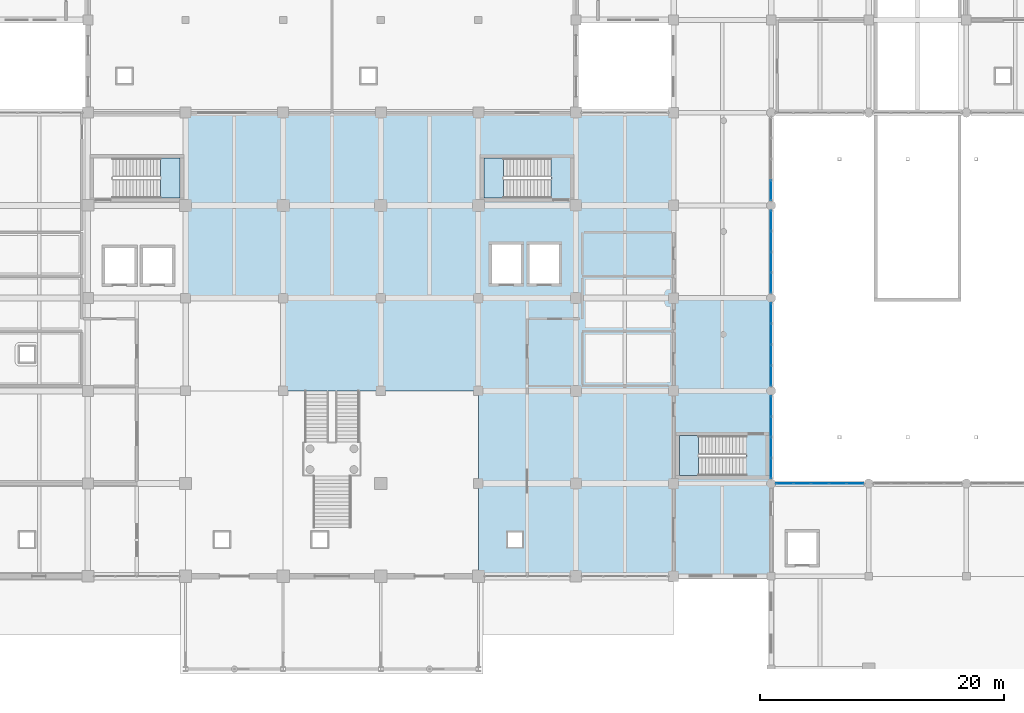
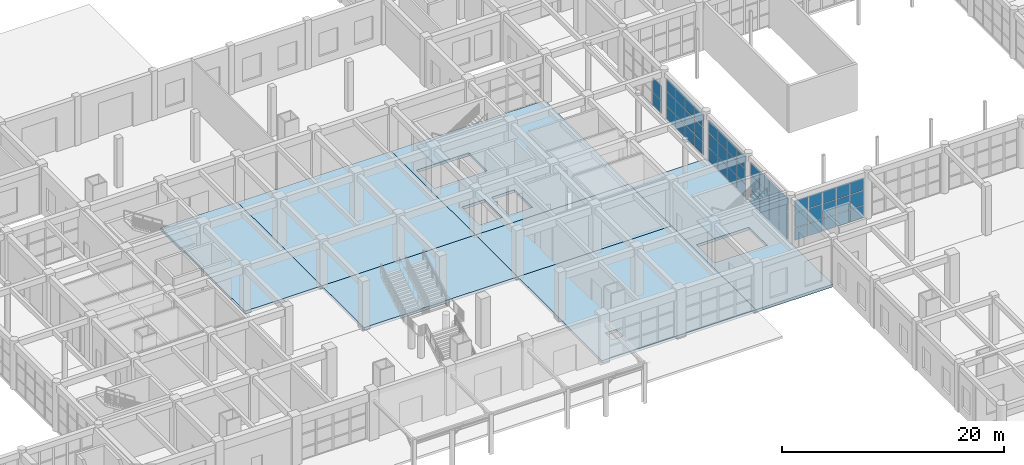
# One storey, part 61 of 95: 53 plates, 10 slabs, 8 elements without a shape of their own.
"""IFC4 building model written with IfcOpenShell, lengths in metres."""

from ifc_helpers import new_model, si_unit, direction, frame, origin, origin_2d, place, context, subcontext, project, spatial, polyline, rectangle, outline, extrude, material, layer, layer_set, type_object, element, aggregate, save


model = new_model("IFC4")

# Units and contexts
model_context = context("Model", 3, precision=1e-05, world=origin(), true_north=direction((0.0, 1.0)))
body_context = subcontext(model_context, "Body", "Model", "MODEL_VIEW")
ifc_project = project(units=[si_unit("LENGTHUNIT", "METRE"), si_unit("AREAUNIT", "SQUARE_METRE"), si_unit("VOLUMEUNIT", "CUBIC_METRE"), si_unit("PLANEANGLEUNIT", "RADIAN"), si_unit("MASSUNIT", "GRAM", prefix="KILO")], contexts=[model_context])

# Site, building, storey
site_placement = place(None, origin())
site = spatial("IfcSite", under=ifc_project, at=site_placement, CompositionType="ELEMENT")
building_placement = place(site_placement, origin())
building = spatial("IfcBuilding", under=site, at=building_placement, Name="Zantavel Square City Hall", CompositionType="ELEMENT")
storey_placement = place(building_placement, origin())
storey = spatial("IfcBuildingStorey", under=building, at=storey_placement, Name="L01", CompositionType="ELEMENT", Elevation=0.0)

# Stair, slab
ifc_material_1 = material(Name="Concrete C35/45", Category="concrete")
stair_type = type_object("IfcStairType", Name="Enclosed Core Dogleg Stair L01 H5400", PredefinedType="HALF_TURN_STAIR", material=ifc_material_1)
stair_1_placement = place(storey_placement, origin())
stair_1 = element("IfcStair", 1, at=stair_1_placement, inside=storey, type_object=stair_type, Name="L01 Exit Stair 4 East Annex Core", PredefinedType="HALF_TURN_STAIR")
ifc_layer_1 = layer(ifc_material_1, 0.2099609375, Name="Concrete C35/45")
ifc_layer_set_1 = layer_set([ifc_layer_1], Name="Concrete C35/45")
slab_type_1 = type_object("IfcSlabType", Name="Core Stair Half-Landing Slab C35/45", PredefinedType="LANDING", material=ifc_layer_set_1)
slab_1_placement = place(storey_placement, frame((0.0, 0.0, 2.5)))
slab_1 = element("IfcSlab", 2, at=slab_1_placement, type_object=slab_type_1, Name="ST4 landing 1", PredefinedType="LANDING", context=body_context, shape_type="SweptSolid", body=[
    extrude(outline(polyline([(114.050048828125, 41.919921875), (112.469970703125, 41.919921875), (112.469970703125, 38.64990234375), (114.050048828125, 38.64990234375), (114.050048828125, 41.919921875)])), origin(), (0.0, 0.0, 1.0), 0.199951171875),
])
aggregate(stair_1, [slab_1])

stair_2_placement = place(storey_placement, origin())
stair_2 = element("IfcStair", 3, at=stair_2_placement, inside=storey, type_object=stair_type, Name="L01 Exit Stair 5 Central West Core", PredefinedType="HALF_TURN_STAIR")
slab_2_placement = place(storey_placement, frame((0.0, 0.0, 2.5)))
slab_2 = element("IfcSlab", 4, at=slab_2_placement, type_object=slab_type_1, Name="ST5 landing 1", PredefinedType="LANDING", context=body_context, shape_type="SweptSolid", body=[
    extrude(outline(polyline([(69.949951171875, 61.39990234375), (71.530029296875, 61.39990234375), (71.530029296875, 64.669921875), (69.949951171875, 64.669921875), (69.949951171875, 61.39990234375)])), origin(), (0.0, 0.0, 1.0), 0.199951171875),
])
aggregate(stair_2, [slab_2])

stair_3_placement = place(storey_placement, origin())
stair_3 = element("IfcStair", 5, at=stair_3_placement, inside=storey, type_object=stair_type, Name="L01 Exit Stair 6 Central East Core", PredefinedType="HALF_TURN_STAIR")
slab_3_placement = place(storey_placement, frame((0.0, 0.0, 2.5)))
slab_3 = element("IfcSlab", 6, at=slab_3_placement, type_object=slab_type_1, Name="ST6 landing 1", PredefinedType="LANDING", context=body_context, shape_type="SweptSolid", body=[
    extrude(outline(polyline([(98.050048828125, 64.669921875), (96.469970703125, 64.669921875), (96.469970703125, 61.39990234375), (98.050048828125, 61.39990234375), (98.050048828125, 64.669921875)])), origin(), (0.0, 0.0, 1.0), 0.199951171875),
])
aggregate(stair_3, [slab_3])

# Slabs
ifc_layer_2 = layer(ifc_material_1, 0.300048828125, Name="Concrete C35/45")
ifc_layer_set_2 = layer_set([ifc_layer_2], Name="Concrete C35/45")
slab_type_2 = type_object("IfcSlabType", Name="Ground Civic Floor Slab 300mm C35/45", PredefinedType="FLOOR", material=ifc_layer_set_2)
slab_4_placement = place(storey_placement, frame((0.0, 0.0, -0.300048828125)))
element("IfcSlab", 7, at=slab_4_placement, inside=storey, type_object=slab_type_2, Name="L01 Floor Slab SLB-L01-V1-04", PredefinedType="FLOOR", context=body_context, shape_type="SweptSolid", body=[
    extrude(outline(polyline([(112.0, 30.39990234375), (96.0, 30.39990234375), (96.0, 45.60009765625), (112.0, 45.60009765625), (112.0, 30.39990234375)]), holes=[polyline([(99.60009765625, 34.0), (98.39990234375, 34.0), (98.39990234375, 32.800048828125), (99.60009765625, 32.800048828125), (99.60009765625, 34.0)])]), origin(), (0.0, 0.0, 1.0), 0.300048828125),
])
slab_5_placement = place(storey_placement, frame((0.0, 0.0, -0.300048828125)))
element("IfcSlab", 8, at=slab_5_placement, inside=storey, type_object=slab_type_2, Name="L01 Floor Slab SLB-L01-V1-07", PredefinedType="FLOOR", context=body_context, shape_type="SweptSolid", body=[
    extrude(outline(polyline([(96.0, 53.199951171875), (96.0, 45.60009765625), (80.0, 45.60009765625), (80.0, 53.199951171875), (96.0, 53.199951171875)])), origin(), (0.0, 0.0, 1.0), 0.300048828125),
])
slab_6_placement = place(storey_placement, frame((0.0, 0.0, -0.300048828125)))
element("IfcSlab", 9, at=slab_6_placement, inside=storey, type_object=slab_type_2, Name="L01 Floor Slab SLB-L01-V1-08", PredefinedType="FLOOR", context=body_context, shape_type="SweptSolid", body=[
    extrude(outline(polyline([(112.0, 53.199951171875), (112.0, 45.60009765625), (96.0, 45.60009765625), (96.0, 53.199951171875), (112.0, 53.199951171875)])), origin(), (0.0, 0.0, 1.0), 0.300048828125),
])
slab_7_placement = place(storey_placement, frame((0.0, 0.0, -0.300048828125)))
element("IfcSlab", 10, at=slab_7_placement, inside=storey, type_object=slab_type_2, Name="L01 Floor Slab SLB-L01-V1-10", PredefinedType="FLOOR", context=body_context, shape_type="SweptSolid", body=[
    extrude(outline(polyline([(80.0, 68.39990234375), (80.0, 53.199951171875), (72.0, 53.199951171875), (72.0, 68.39990234375), (80.0, 68.39990234375)])), origin(), (0.0, 0.0, 1.0), 0.300048828125),
])
slab_8_placement = place(storey_placement, frame((0.0, 0.0, -0.300048828125)))
element("IfcSlab", 11, at=slab_8_placement, inside=storey, type_object=slab_type_2, Name="L01 Floor Slab SLB-L01-V1-11", PredefinedType="FLOOR", context=body_context, shape_type="SweptSolid", body=[
    extrude(outline(polyline([(96.0, 68.39990234375), (96.0, 53.199951171875), (80.0, 53.199951171875), (80.0, 68.39990234375), (96.0, 68.39990234375)])), origin(), (0.0, 0.0, 1.0), 0.300048828125),
])
slab_9_placement = place(storey_placement, frame((0.0, 0.0, -0.300048828125)))
element("IfcSlab", 12, at=slab_9_placement, inside=storey, type_object=slab_type_2, Name="L01 Floor Slab SLB-L01-V1-12", PredefinedType="FLOOR", context=body_context, shape_type="SweptSolid", body=[
    extrude(outline(polyline([(96.0, 68.39990234375), (112.0, 68.39990234375), (112.0, 53.199951171875), (96.0, 53.199951171875), (96.0, 68.39990234375)]), holes=[polyline([(96.469970703125, 61.39990234375), (101.949951171875, 61.39990234375), (101.949951171875, 64.669921875), (96.469970703125, 64.669921875), (96.469970703125, 61.39990234375)]), polyline([(97.10009765625, 57.60009765625), (97.10009765625, 54.39990234375), (99.5, 54.39990234375), (99.5, 57.60009765625), (97.10009765625, 57.60009765625)]), polyline([(102.60009765625, 57.60009765625), (100.199951171875, 57.60009765625), (100.199951171875, 54.39990234375), (102.60009765625, 54.39990234375), (102.60009765625, 57.60009765625)])]), origin(), (0.0, 0.0, 1.0), 0.300048828125),
])
slab_10_placement = place(storey_placement, frame((0.0, 0.0, -0.300048828125)))
element("IfcSlab", 13, at=slab_10_placement, inside=storey, type_object=slab_type_2, Name="L01 Floor Slab SLB-L01-V2W-01", PredefinedType="FLOOR", context=body_context, shape_type="SweptSolid", body=[
    extrude(outline(polyline([(112.0, 30.39990234375), (112.0, 45.60009765625), (112.0, 53.199951171875), (120.0, 53.199951171875), (120.0, 38.0), (120.0, 30.39990234375), (112.0, 30.39990234375)]), holes=[polyline([(117.949951171875, 41.919921875), (112.469970703125, 41.919921875), (112.469970703125, 38.64990234375), (117.949951171875, 38.64990234375), (117.949951171875, 41.919921875)])]), origin(), (0.0, 0.0, 1.0), 0.300048828125),
])

# Curtain wall, plates
ifc_material_2 = material(Name="Anodised aluminium 6063-T6", Category="aluminium")
curtain_wall_type_1 = type_object("IfcCurtainWallType", Name="Curtain Wall CRT 7250x4510", PredefinedType="USERDEFINED", material=ifc_material_2)
curtain_wall_1_placement = place(storey_placement, origin())
curtain_wall_1 = element("IfcCurtainWall", 14, at=curtain_wall_1_placement, inside=storey, type_object=curtain_wall_type_1, Name="L01 Glazed Curtain Wall CW-L01-027", ObjectType="GLAZED CURTAIN WALL", PredefinedType="USERDEFINED")
ifc_material_3 = material(Name="Tempered safety glass low-E double glazing", Category="glass")
ifc_layer_3 = layer(ifc_material_3, 0.028076171875, Name="Tempered safety glass low-E double glazing")
ifc_layer_set_3 = layer_set([ifc_layer_3], Name="Tempered safety glass low-E double glazing")
plate_type_1 = type_object("IfcPlateType", Name="Low-E Curtain Glazing Panel 1450x1503x28", PredefinedType="CURTAIN_PANEL", material=ifc_layer_set_3)
plate_1_placement = place(storey_placement, frame((121.114990234375, 38.0, 0.06005859375), z_axis=(0.0, 0.0, 1.0), x_axis=(1.0, 0.0, 0.0)))
plate_1 = element("IfcPlate", 15, at=plate_1_placement, type_object=plate_type_1, Name="CW-027 panel 1.1", PredefinedType="CURTAIN_PANEL", context=body_context, shape_type="SweptSolid", body=[
    extrude(rectangle(XDim=1.360107421875, YDim=0.028076171875, at=origin_2d()), origin(), (0.0, 0.0, 1.0), 1.35302734375),
])
plate_2_placement = place(storey_placement, frame((121.114990234375, 38.0, 1.472900390625), z_axis=(0.0, 0.0, 1.0), x_axis=(1.0, 0.0, 0.0)))
plate_2 = element("IfcPlate", 16, at=plate_2_placement, type_object=plate_type_1, Name="CW-027 panel 1.2", PredefinedType="CURTAIN_PANEL", context=body_context, shape_type="SweptSolid", body=[
    extrude(rectangle(XDim=1.360107421875, YDim=0.028076171875, at=origin_2d()), origin(), (0.0, 0.0, 1.0), 1.56396484375),
])
plate_3_placement = place(storey_placement, frame((121.114990234375, 38.0, 3.096923828125), z_axis=(0.0, 0.0, 1.0), x_axis=(1.0, 0.0, 0.0)))
plate_3 = element("IfcPlate", 17, at=plate_3_placement, type_object=plate_type_1, Name="CW-027 panel 1.3", PredefinedType="CURTAIN_PANEL", context=body_context, shape_type="SweptSolid", body=[
    extrude(rectangle(XDim=1.360107421875, YDim=0.028076171875, at=origin_2d()), origin(), (0.0, 0.0, 1.0), 1.35302734375),
])
plate_4_placement = place(storey_placement, frame((122.550048828125, 38.0, 0.06005859375), z_axis=(0.0, 0.0, 1.0), x_axis=(1.0, 0.0, 0.0)))
plate_4 = element("IfcPlate", 18, at=plate_4_placement, type_object=plate_type_1, Name="CW-027 panel 2.1", PredefinedType="CURTAIN_PANEL", context=body_context, shape_type="SweptSolid", body=[
    extrude(rectangle(XDim=1.389892578125, YDim=0.028076171875, at=origin_2d()), origin(), (0.0, 0.0, 1.0), 1.35302734375),
])
plate_5_placement = place(storey_placement, frame((122.550048828125, 38.0, 1.472900390625), z_axis=(0.0, 0.0, 1.0), x_axis=(1.0, 0.0, 0.0)))
plate_5 = element("IfcPlate", 19, at=plate_5_placement, type_object=plate_type_1, Name="CW-027 panel 2.2", PredefinedType="CURTAIN_PANEL", context=body_context, shape_type="SweptSolid", body=[
    extrude(rectangle(XDim=1.389892578125, YDim=0.028076171875, at=origin_2d()), origin(), (0.0, 0.0, 1.0), 1.56396484375),
])
plate_6_placement = place(storey_placement, frame((122.550048828125, 38.0, 3.096923828125), z_axis=(0.0, 0.0, 1.0), x_axis=(1.0, 0.0, 0.0)))
plate_6 = element("IfcPlate", 20, at=plate_6_placement, type_object=plate_type_1, Name="CW-027 panel 2.3", PredefinedType="CURTAIN_PANEL", context=body_context, shape_type="SweptSolid", body=[
    extrude(rectangle(XDim=1.389892578125, YDim=0.028076171875, at=origin_2d()), origin(), (0.0, 0.0, 1.0), 1.35302734375),
])
plate_7_placement = place(storey_placement, frame((124.0, 38.0, 0.06005859375), z_axis=(0.0, 0.0, 1.0), x_axis=(1.0, 0.0, 0.0)))
plate_7 = element("IfcPlate", 21, at=plate_7_placement, type_object=plate_type_1, Name="CW-027 panel 3.1", PredefinedType="CURTAIN_PANEL", context=body_context, shape_type="SweptSolid", body=[
    extrude(rectangle(XDim=1.389892578125, YDim=0.028076171875, at=origin_2d()), origin(), (0.0, 0.0, 1.0), 1.35302734375),
])
plate_8_placement = place(storey_placement, frame((124.0, 38.0, 1.472900390625), z_axis=(0.0, 0.0, 1.0), x_axis=(1.0, 0.0, 0.0)))
plate_8 = element("IfcPlate", 22, at=plate_8_placement, type_object=plate_type_1, Name="CW-027 panel 3.2", PredefinedType="CURTAIN_PANEL", context=body_context, shape_type="SweptSolid", body=[
    extrude(rectangle(XDim=1.389892578125, YDim=0.028076171875, at=origin_2d()), origin(), (0.0, 0.0, 1.0), 1.56396484375),
])
plate_9_placement = place(storey_placement, frame((124.0, 38.0, 3.096923828125), z_axis=(0.0, 0.0, 1.0), x_axis=(1.0, 0.0, 0.0)))
plate_9 = element("IfcPlate", 23, at=plate_9_placement, type_object=plate_type_1, Name="CW-027 panel 3.3", PredefinedType="CURTAIN_PANEL", context=body_context, shape_type="SweptSolid", body=[
    extrude(rectangle(XDim=1.389892578125, YDim=0.028076171875, at=origin_2d()), origin(), (0.0, 0.0, 1.0), 1.35302734375),
])
plate_10_placement = place(storey_placement, frame((125.449951171875, 38.0, 0.06005859375), z_axis=(0.0, 0.0, 1.0), x_axis=(1.0, 0.0, 0.0)))
plate_10 = element("IfcPlate", 24, at=plate_10_placement, type_object=plate_type_1, Name="CW-027 panel 4.1", PredefinedType="CURTAIN_PANEL", context=body_context, shape_type="SweptSolid", body=[
    extrude(rectangle(XDim=1.389892578125, YDim=0.028076171875, at=origin_2d()), origin(), (0.0, 0.0, 1.0), 1.35302734375),
])
plate_11_placement = place(storey_placement, frame((125.449951171875, 38.0, 1.472900390625), z_axis=(0.0, 0.0, 1.0), x_axis=(1.0, 0.0, 0.0)))
plate_11 = element("IfcPlate", 25, at=plate_11_placement, type_object=plate_type_1, Name="CW-027 panel 4.2", PredefinedType="CURTAIN_PANEL", context=body_context, shape_type="SweptSolid", body=[
    extrude(rectangle(XDim=1.389892578125, YDim=0.028076171875, at=origin_2d()), origin(), (0.0, 0.0, 1.0), 1.56396484375),
])
plate_12_placement = place(storey_placement, frame((125.449951171875, 38.0, 3.096923828125), z_axis=(0.0, 0.0, 1.0), x_axis=(1.0, 0.0, 0.0)))
plate_12 = element("IfcPlate", 26, at=plate_12_placement, type_object=plate_type_1, Name="CW-027 panel 4.3", PredefinedType="CURTAIN_PANEL", context=body_context, shape_type="SweptSolid", body=[
    extrude(rectangle(XDim=1.389892578125, YDim=0.028076171875, at=origin_2d()), origin(), (0.0, 0.0, 1.0), 1.35302734375),
])
plate_13_placement = place(storey_placement, frame((126.885009765625, 38.0, 0.06005859375), z_axis=(0.0, 0.0, 1.0), x_axis=(1.0, 0.0, 0.0)))
plate_13 = element("IfcPlate", 27, at=plate_13_placement, type_object=plate_type_1, Name="CW-027 panel 5.1", PredefinedType="CURTAIN_PANEL", context=body_context, shape_type="SweptSolid", body=[
    extrude(rectangle(XDim=1.360107421875, YDim=0.028076171875, at=origin_2d()), origin(), (0.0, 0.0, 1.0), 1.35302734375),
])
plate_14_placement = place(storey_placement, frame((126.885009765625, 38.0, 1.472900390625), z_axis=(0.0, 0.0, 1.0), x_axis=(1.0, 0.0, 0.0)))
plate_14 = element("IfcPlate", 28, at=plate_14_placement, type_object=plate_type_1, Name="CW-027 panel 5.2", PredefinedType="CURTAIN_PANEL", context=body_context, shape_type="SweptSolid", body=[
    extrude(rectangle(XDim=1.360107421875, YDim=0.028076171875, at=origin_2d()), origin(), (0.0, 0.0, 1.0), 1.56396484375),
])
plate_15_placement = place(storey_placement, frame((126.885009765625, 38.0, 3.096923828125), z_axis=(0.0, 0.0, 1.0), x_axis=(1.0, 0.0, 0.0)))
plate_15 = element("IfcPlate", 29, at=plate_15_placement, type_object=plate_type_1, Name="CW-027 panel 5.3", PredefinedType="CURTAIN_PANEL", context=body_context, shape_type="SweptSolid", body=[
    extrude(rectangle(XDim=1.360107421875, YDim=0.028076171875, at=origin_2d()), origin(), (0.0, 0.0, 1.0), 1.35302734375),
])
aggregate(curtain_wall_1, [plate_1, plate_2, plate_3, plate_4, plate_5, plate_6, plate_7, plate_8, plate_9, plate_10, plate_11, plate_12, plate_13, plate_14, plate_15])

curtain_wall_type_2 = type_object("IfcCurtainWallType", Name="Curtain Wall CRT 6850x4580", PredefinedType="USERDEFINED", material=ifc_material_2)
curtain_wall_2_placement = place(storey_placement, origin())
curtain_wall_2 = element("IfcCurtainWall", 30, at=curtain_wall_2_placement, inside=storey, type_object=curtain_wall_type_2, Name="L01 Glazed Curtain Wall CW-L01-024", ObjectType="GLAZED CURTAIN WALL", PredefinedType="USERDEFINED")
ifc_layer_4 = layer(ifc_material_3, 0.028076171875, Name="Tempered safety glass low-E double glazing")
ifc_layer_set_4 = layer_set([ifc_layer_4], Name="Tempered safety glass low-E double glazing")
plate_type_2 = type_object("IfcPlateType", Name="Low-E Curtain Glazing Panel 1712x1527x28", PredefinedType="CURTAIN_PANEL", material=ifc_layer_set_4)
plate_16_placement = place(storey_placement, frame((120.0, 59.5537109375, 0.06005859375), z_axis=(0.0, 0.0, 1.0), x_axis=(0.0, -1.0, 0.0)))
plate_16 = element("IfcPlate", 31, at=plate_16_placement, type_object=plate_type_2, Name="CW-024 panel 1.1", PredefinedType="CURTAIN_PANEL", context=body_context, shape_type="SweptSolid", body=[
    extrude(rectangle(XDim=1.62255859375, YDim=0.028076171875, at=origin_2d()), origin(), (0.0, 0.0, 1.0), 1.3759765625),
])
plate_17_placement = place(storey_placement, frame((120.0, 59.5537109375, 1.49609375), z_axis=(0.0, 0.0, 1.0), x_axis=(0.0, -1.0, 0.0)))
plate_17 = element("IfcPlate", 32, at=plate_17_placement, type_object=plate_type_2, Name="CW-024 panel 1.2", PredefinedType="CURTAIN_PANEL", context=body_context, shape_type="SweptSolid", body=[
    extrude(rectangle(XDim=1.62255859375, YDim=0.028076171875, at=origin_2d()), origin(), (0.0, 0.0, 1.0), 1.587890625),
])
plate_18_placement = place(storey_placement, frame((120.0, 59.5537109375, 3.14404296875), z_axis=(0.0, 0.0, 1.0), x_axis=(0.0, -1.0, 0.0)))
plate_18 = element("IfcPlate", 33, at=plate_18_placement, type_object=plate_type_2, Name="CW-024 panel 1.3", PredefinedType="CURTAIN_PANEL", context=body_context, shape_type="SweptSolid", body=[
    extrude(rectangle(XDim=1.62255859375, YDim=0.028076171875, at=origin_2d()), origin(), (0.0, 0.0, 1.0), 1.3759765625),
])
plate_19_placement = place(storey_placement, frame((120.0, 57.856201171875, 0.06005859375), z_axis=(0.0, 0.0, 1.0), x_axis=(0.0, -1.0, 0.0)))
plate_19 = element("IfcPlate", 34, at=plate_19_placement, type_object=plate_type_2, Name="CW-024 panel 2.1", PredefinedType="CURTAIN_PANEL", context=body_context, shape_type="SweptSolid", body=[
    extrude(rectangle(XDim=1.652587890625, YDim=0.028076171875, at=origin_2d()), origin(), (0.0, 0.0, 1.0), 1.3759765625),
])
plate_20_placement = place(storey_placement, frame((120.0, 57.856201171875, 1.49609375), z_axis=(0.0, 0.0, 1.0), x_axis=(0.0, -1.0, 0.0)))
plate_20 = element("IfcPlate", 35, at=plate_20_placement, type_object=plate_type_2, Name="CW-024 panel 2.2", PredefinedType="CURTAIN_PANEL", context=body_context, shape_type="SweptSolid", body=[
    extrude(rectangle(XDim=1.652587890625, YDim=0.028076171875, at=origin_2d()), origin(), (0.0, 0.0, 1.0), 1.587890625),
])
plate_21_placement = place(storey_placement, frame((120.0, 57.856201171875, 3.14404296875), z_axis=(0.0, 0.0, 1.0), x_axis=(0.0, -1.0, 0.0)))
plate_21 = element("IfcPlate", 36, at=plate_21_placement, type_object=plate_type_2, Name="CW-024 panel 2.3", PredefinedType="CURTAIN_PANEL", context=body_context, shape_type="SweptSolid", body=[
    extrude(rectangle(XDim=1.652587890625, YDim=0.028076171875, at=origin_2d()), origin(), (0.0, 0.0, 1.0), 1.3759765625),
])
plate_22_placement = place(storey_placement, frame((120.0, 56.143798828125, 0.06005859375), z_axis=(0.0, 0.0, 1.0), x_axis=(0.0, -1.0, 0.0)))
plate_22 = element("IfcPlate", 37, at=plate_22_placement, type_object=plate_type_2, Name="CW-024 panel 3.1", PredefinedType="CURTAIN_PANEL", context=body_context, shape_type="SweptSolid", body=[
    extrude(rectangle(XDim=1.652587890625, YDim=0.028076171875, at=origin_2d()), origin(), (0.0, 0.0, 1.0), 1.3759765625),
])
plate_23_placement = place(storey_placement, frame((120.0, 56.143798828125, 1.49609375), z_axis=(0.0, 0.0, 1.0), x_axis=(0.0, -1.0, 0.0)))
plate_23 = element("IfcPlate", 38, at=plate_23_placement, type_object=plate_type_2, Name="CW-024 panel 3.2", PredefinedType="CURTAIN_PANEL", context=body_context, shape_type="SweptSolid", body=[
    extrude(rectangle(XDim=1.652587890625, YDim=0.028076171875, at=origin_2d()), origin(), (0.0, 0.0, 1.0), 1.587890625),
])
plate_24_placement = place(storey_placement, frame((120.0, 56.143798828125, 3.14404296875), z_axis=(0.0, 0.0, 1.0), x_axis=(0.0, -1.0, 0.0)))
plate_24 = element("IfcPlate", 39, at=plate_24_placement, type_object=plate_type_2, Name="CW-024 panel 3.3", PredefinedType="CURTAIN_PANEL", context=body_context, shape_type="SweptSolid", body=[
    extrude(rectangle(XDim=1.652587890625, YDim=0.028076171875, at=origin_2d()), origin(), (0.0, 0.0, 1.0), 1.3759765625),
])
plate_25_placement = place(storey_placement, frame((120.0, 54.4462890625, 0.06005859375), z_axis=(0.0, 0.0, 1.0), x_axis=(0.0, -1.0, 0.0)))
plate_25 = element("IfcPlate", 40, at=plate_25_placement, type_object=plate_type_2, Name="CW-024 panel 4.1", PredefinedType="CURTAIN_PANEL", context=body_context, shape_type="SweptSolid", body=[
    extrude(rectangle(XDim=1.62255859375, YDim=0.028076171875, at=origin_2d()), origin(), (0.0, 0.0, 1.0), 1.3759765625),
])
plate_26_placement = place(storey_placement, frame((120.0, 54.4462890625, 1.49609375), z_axis=(0.0, 0.0, 1.0), x_axis=(0.0, -1.0, 0.0)))
plate_26 = element("IfcPlate", 41, at=plate_26_placement, type_object=plate_type_2, Name="CW-024 panel 4.2", PredefinedType="CURTAIN_PANEL", context=body_context, shape_type="SweptSolid", body=[
    extrude(rectangle(XDim=1.62255859375, YDim=0.028076171875, at=origin_2d()), origin(), (0.0, 0.0, 1.0), 1.587890625),
])
plate_27_placement = place(storey_placement, frame((120.0, 54.4462890625, 3.14404296875), z_axis=(0.0, 0.0, 1.0), x_axis=(0.0, -1.0, 0.0)))
plate_27 = element("IfcPlate", 42, at=plate_27_placement, type_object=plate_type_2, Name="CW-024 panel 4.3", PredefinedType="CURTAIN_PANEL", context=body_context, shape_type="SweptSolid", body=[
    extrude(rectangle(XDim=1.62255859375, YDim=0.028076171875, at=origin_2d()), origin(), (0.0, 0.0, 1.0), 1.3759765625),
])
aggregate(curtain_wall_2, [plate_16, plate_17, plate_18, plate_19, plate_20, plate_21, plate_22, plate_23, plate_24, plate_25, plate_26, plate_27])

curtain_wall_3_placement = place(storey_placement, origin())
curtain_wall_3 = element("IfcCurtainWall", 43, at=curtain_wall_3_placement, inside=storey, type_object=curtain_wall_type_2, Name="L01 Glazed Curtain Wall CW-L01-023", ObjectType="GLAZED CURTAIN WALL", PredefinedType="USERDEFINED")
ifc_layer_5 = layer(ifc_material_3, 0.028076171875, Name="Tempered safety glass low-E double glazing")
ifc_layer_set_5 = layer_set([ifc_layer_5], Name="Tempered safety glass low-E double glazing")
plate_type_3 = type_object("IfcPlateType", Name="Low-E Curtain Glazing Panel 1713x1527x28", PredefinedType="CURTAIN_PANEL", material=ifc_layer_set_5)
plate_28_placement = place(storey_placement, frame((120.0, 62.046142578125, 0.06005859375), z_axis=(0.0, 0.0, 1.0), x_axis=(0.0, -1.0, 0.0)))
plate_28 = element("IfcPlate", 44, at=plate_28_placement, type_object=plate_type_3, Name="CW-023 panel 4.1", PredefinedType="CURTAIN_PANEL", context=body_context, shape_type="SweptSolid", body=[
    extrude(rectangle(XDim=1.62255859375, YDim=0.028076171875, at=origin_2d()), origin(), (0.0, 0.0, 1.0), 1.3759765625),
])
plate_29_placement = place(storey_placement, frame((120.0, 62.046142578125, 1.49609375), z_axis=(0.0, 0.0, 1.0), x_axis=(0.0, -1.0, 0.0)))
plate_29 = element("IfcPlate", 45, at=plate_29_placement, type_object=plate_type_3, Name="CW-023 panel 4.2", PredefinedType="CURTAIN_PANEL", context=body_context, shape_type="SweptSolid", body=[
    extrude(rectangle(XDim=1.62255859375, YDim=0.028076171875, at=origin_2d()), origin(), (0.0, 0.0, 1.0), 1.587890625),
])
aggregate(curtain_wall_3, [plate_28, plate_29])

curtain_wall_4_placement = place(storey_placement, origin())
curtain_wall_4 = element("IfcCurtainWall", 46, at=curtain_wall_4_placement, inside=storey, type_object=curtain_wall_type_2, Name="L01 Glazed Curtain Wall CW-L01-025", ObjectType="GLAZED CURTAIN WALL", PredefinedType="USERDEFINED")
plate_30_placement = place(storey_placement, frame((120.0, 51.953857421875, 0.06005859375), z_axis=(0.0, 0.0, 1.0), x_axis=(0.0, -1.0, 0.0)))
plate_30 = element("IfcPlate", 47, at=plate_30_placement, type_object=plate_type_3, Name="CW-025 panel 1.1", PredefinedType="CURTAIN_PANEL", context=body_context, shape_type="SweptSolid", body=[
    extrude(rectangle(XDim=1.62255859375, YDim=0.028076171875, at=origin_2d()), origin(), (0.0, 0.0, 1.0), 1.3759765625),
])
plate_31_placement = place(storey_placement, frame((120.0, 51.953857421875, 1.49609375), z_axis=(0.0, 0.0, 1.0), x_axis=(0.0, -1.0, 0.0)))
plate_31 = element("IfcPlate", 48, at=plate_31_placement, type_object=plate_type_3, Name="CW-025 panel 1.2", PredefinedType="CURTAIN_PANEL", context=body_context, shape_type="SweptSolid", body=[
    extrude(rectangle(XDim=1.62255859375, YDim=0.028076171875, at=origin_2d()), origin(), (0.0, 0.0, 1.0), 1.587890625),
])
plate_32_placement = place(storey_placement, frame((120.0, 51.953857421875, 3.14404296875), z_axis=(0.0, 0.0, 1.0), x_axis=(0.0, -1.0, 0.0)))
plate_32 = element("IfcPlate", 49, at=plate_32_placement, type_object=plate_type_3, Name="CW-025 panel 1.3", PredefinedType="CURTAIN_PANEL", context=body_context, shape_type="SweptSolid", body=[
    extrude(rectangle(XDim=1.62255859375, YDim=0.028076171875, at=origin_2d()), origin(), (0.0, 0.0, 1.0), 1.3759765625),
])
plate_33_placement = place(storey_placement, frame((120.0, 50.25634765625, 0.06005859375), z_axis=(0.0, 0.0, 1.0), x_axis=(0.0, -1.0, 0.0)))
plate_33 = element("IfcPlate", 50, at=plate_33_placement, type_object=plate_type_3, Name="CW-025 panel 2.1", PredefinedType="CURTAIN_PANEL", context=body_context, shape_type="SweptSolid", body=[
    extrude(rectangle(XDim=1.652587890625, YDim=0.028076171875, at=origin_2d()), origin(), (0.0, 0.0, 1.0), 1.3759765625),
])
plate_34_placement = place(storey_placement, frame((120.0, 50.25634765625, 1.49609375), z_axis=(0.0, 0.0, 1.0), x_axis=(0.0, -1.0, 0.0)))
plate_34 = element("IfcPlate", 51, at=plate_34_placement, type_object=plate_type_3, Name="CW-025 panel 2.2", PredefinedType="CURTAIN_PANEL", context=body_context, shape_type="SweptSolid", body=[
    extrude(rectangle(XDim=1.652587890625, YDim=0.028076171875, at=origin_2d()), origin(), (0.0, 0.0, 1.0), 1.587890625),
])
plate_35_placement = place(storey_placement, frame((120.0, 50.25634765625, 3.14404296875), z_axis=(0.0, 0.0, 1.0), x_axis=(0.0, -1.0, 0.0)))
plate_35 = element("IfcPlate", 52, at=plate_35_placement, type_object=plate_type_3, Name="CW-025 panel 2.3", PredefinedType="CURTAIN_PANEL", context=body_context, shape_type="SweptSolid", body=[
    extrude(rectangle(XDim=1.652587890625, YDim=0.028076171875, at=origin_2d()), origin(), (0.0, 0.0, 1.0), 1.3759765625),
])
plate_36_placement = place(storey_placement, frame((120.0, 48.543701171875, 0.06005859375), z_axis=(0.0, 0.0, 1.0), x_axis=(0.0, -1.0, 0.0)))
plate_36 = element("IfcPlate", 53, at=plate_36_placement, type_object=plate_type_3, Name="CW-025 panel 3.1", PredefinedType="CURTAIN_PANEL", context=body_context, shape_type="SweptSolid", body=[
    extrude(rectangle(XDim=1.652587890625, YDim=0.028076171875, at=origin_2d()), origin(), (0.0, 0.0, 1.0), 1.3759765625),
])
plate_37_placement = place(storey_placement, frame((120.0, 48.543701171875, 1.49609375), z_axis=(0.0, 0.0, 1.0), x_axis=(0.0, -1.0, 0.0)))
plate_37 = element("IfcPlate", 54, at=plate_37_placement, type_object=plate_type_3, Name="CW-025 panel 3.2", PredefinedType="CURTAIN_PANEL", context=body_context, shape_type="SweptSolid", body=[
    extrude(rectangle(XDim=1.652587890625, YDim=0.028076171875, at=origin_2d()), origin(), (0.0, 0.0, 1.0), 1.587890625),
])
plate_38_placement = place(storey_placement, frame((120.0, 48.543701171875, 3.14404296875), z_axis=(0.0, 0.0, 1.0), x_axis=(0.0, -1.0, 0.0)))
plate_38 = element("IfcPlate", 55, at=plate_38_placement, type_object=plate_type_3, Name="CW-025 panel 3.3", PredefinedType="CURTAIN_PANEL", context=body_context, shape_type="SweptSolid", body=[
    extrude(rectangle(XDim=1.652587890625, YDim=0.028076171875, at=origin_2d()), origin(), (0.0, 0.0, 1.0), 1.3759765625),
])
plate_39_placement = place(storey_placement, frame((120.0, 46.84619140625, 0.06005859375), z_axis=(0.0, 0.0, 1.0), x_axis=(0.0, -1.0, 0.0)))
plate_39 = element("IfcPlate", 56, at=plate_39_placement, type_object=plate_type_3, Name="CW-025 panel 4.1", PredefinedType="CURTAIN_PANEL", context=body_context, shape_type="SweptSolid", body=[
    extrude(rectangle(XDim=1.62255859375, YDim=0.028076171875, at=origin_2d()), origin(), (0.0, 0.0, 1.0), 1.3759765625),
])
plate_40_placement = place(storey_placement, frame((120.0, 46.84619140625, 1.49609375), z_axis=(0.0, 0.0, 1.0), x_axis=(0.0, -1.0, 0.0)))
plate_40 = element("IfcPlate", 57, at=plate_40_placement, type_object=plate_type_3, Name="CW-025 panel 4.2", PredefinedType="CURTAIN_PANEL", context=body_context, shape_type="SweptSolid", body=[
    extrude(rectangle(XDim=1.62255859375, YDim=0.028076171875, at=origin_2d()), origin(), (0.0, 0.0, 1.0), 1.587890625),
])
plate_41_placement = place(storey_placement, frame((120.0, 46.84619140625, 3.14404296875), z_axis=(0.0, 0.0, 1.0), x_axis=(0.0, -1.0, 0.0)))
plate_41 = element("IfcPlate", 58, at=plate_41_placement, type_object=plate_type_3, Name="CW-025 panel 4.3", PredefinedType="CURTAIN_PANEL", context=body_context, shape_type="SweptSolid", body=[
    extrude(rectangle(XDim=1.62255859375, YDim=0.028076171875, at=origin_2d()), origin(), (0.0, 0.0, 1.0), 1.3759765625),
])
aggregate(curtain_wall_4, [plate_30, plate_31, plate_32, plate_33, plate_34, plate_35, plate_36, plate_37, plate_38, plate_39, plate_40, plate_41])

curtain_wall_5_placement = place(storey_placement, origin())
curtain_wall_5 = element("IfcCurtainWall", 59, at=curtain_wall_5_placement, inside=storey, type_object=curtain_wall_type_2, Name="L01 Glazed Curtain Wall CW-L01-026", ObjectType="GLAZED CURTAIN WALL", PredefinedType="USERDEFINED")
plate_42_placement = place(storey_placement, frame((120.0, 44.353759765625, 0.06005859375), z_axis=(0.0, 0.0, 1.0), x_axis=(0.0, -1.0, 0.0)))
plate_42 = element("IfcPlate", 60, at=plate_42_placement, type_object=plate_type_3, Name="CW-026 panel 1.1", PredefinedType="CURTAIN_PANEL", context=body_context, shape_type="SweptSolid", body=[
    extrude(rectangle(XDim=1.62255859375, YDim=0.028076171875, at=origin_2d()), origin(), (0.0, 0.0, 1.0), 1.3759765625),
])
plate_43_placement = place(storey_placement, frame((120.0, 44.353759765625, 1.49609375), z_axis=(0.0, 0.0, 1.0), x_axis=(0.0, -1.0, 0.0)))
plate_43 = element("IfcPlate", 61, at=plate_43_placement, type_object=plate_type_3, Name="CW-026 panel 1.2", PredefinedType="CURTAIN_PANEL", context=body_context, shape_type="SweptSolid", body=[
    extrude(rectangle(XDim=1.62255859375, YDim=0.028076171875, at=origin_2d()), origin(), (0.0, 0.0, 1.0), 1.587890625),
])
plate_44_placement = place(storey_placement, frame((120.0, 44.353759765625, 3.14404296875), z_axis=(0.0, 0.0, 1.0), x_axis=(0.0, -1.0, 0.0)))
plate_44 = element("IfcPlate", 62, at=plate_44_placement, type_object=plate_type_3, Name="CW-026 panel 1.3", PredefinedType="CURTAIN_PANEL", context=body_context, shape_type="SweptSolid", body=[
    extrude(rectangle(XDim=1.62255859375, YDim=0.028076171875, at=origin_2d()), origin(), (0.0, 0.0, 1.0), 1.3759765625),
])
plate_45_placement = place(storey_placement, frame((120.0, 42.65625, 0.06005859375), z_axis=(0.0, 0.0, 1.0), x_axis=(0.0, -1.0, 0.0)))
plate_45 = element("IfcPlate", 63, at=plate_45_placement, type_object=plate_type_3, Name="CW-026 panel 2.1", PredefinedType="CURTAIN_PANEL", context=body_context, shape_type="SweptSolid", body=[
    extrude(rectangle(XDim=1.652587890625, YDim=0.028076171875, at=origin_2d()), origin(), (0.0, 0.0, 1.0), 1.3759765625),
])
plate_46_placement = place(storey_placement, frame((120.0, 42.65625, 1.49609375), z_axis=(0.0, 0.0, 1.0), x_axis=(0.0, -1.0, 0.0)))
plate_46 = element("IfcPlate", 64, at=plate_46_placement, type_object=plate_type_3, Name="CW-026 panel 2.2", PredefinedType="CURTAIN_PANEL", context=body_context, shape_type="SweptSolid", body=[
    extrude(rectangle(XDim=1.652587890625, YDim=0.028076171875, at=origin_2d()), origin(), (0.0, 0.0, 1.0), 1.587890625),
])
plate_47_placement = place(storey_placement, frame((120.0, 42.65625, 3.14404296875), z_axis=(0.0, 0.0, 1.0), x_axis=(0.0, -1.0, 0.0)))
plate_47 = element("IfcPlate", 65, at=plate_47_placement, type_object=plate_type_3, Name="CW-026 panel 2.3", PredefinedType="CURTAIN_PANEL", context=body_context, shape_type="SweptSolid", body=[
    extrude(rectangle(XDim=1.652587890625, YDim=0.028076171875, at=origin_2d()), origin(), (0.0, 0.0, 1.0), 1.3759765625),
])
plate_48_placement = place(storey_placement, frame((120.0, 40.94384765625, 0.06005859375), z_axis=(0.0, 0.0, 1.0), x_axis=(0.0, -1.0, 0.0)))
plate_48 = element("IfcPlate", 66, at=plate_48_placement, type_object=plate_type_3, Name="CW-026 panel 3.1", PredefinedType="CURTAIN_PANEL", context=body_context, shape_type="SweptSolid", body=[
    extrude(rectangle(XDim=1.652587890625, YDim=0.028076171875, at=origin_2d()), origin(), (0.0, 0.0, 1.0), 1.3759765625),
])
plate_49_placement = place(storey_placement, frame((120.0, 40.94384765625, 1.49609375), z_axis=(0.0, 0.0, 1.0), x_axis=(0.0, -1.0, 0.0)))
plate_49 = element("IfcPlate", 67, at=plate_49_placement, type_object=plate_type_3, Name="CW-026 panel 3.2", PredefinedType="CURTAIN_PANEL", context=body_context, shape_type="SweptSolid", body=[
    extrude(rectangle(XDim=1.652587890625, YDim=0.028076171875, at=origin_2d()), origin(), (0.0, 0.0, 1.0), 1.587890625),
])
plate_50_placement = place(storey_placement, frame((120.0, 40.94384765625, 3.14404296875), z_axis=(0.0, 0.0, 1.0), x_axis=(0.0, -1.0, 0.0)))
plate_50 = element("IfcPlate", 68, at=plate_50_placement, type_object=plate_type_3, Name="CW-026 panel 3.3", PredefinedType="CURTAIN_PANEL", context=body_context, shape_type="SweptSolid", body=[
    extrude(rectangle(XDim=1.652587890625, YDim=0.028076171875, at=origin_2d()), origin(), (0.0, 0.0, 1.0), 1.3759765625),
])
plate_51_placement = place(storey_placement, frame((120.0, 39.246337890625, 0.06005859375), z_axis=(0.0, 0.0, 1.0), x_axis=(0.0, -1.0, 0.0)))
plate_51 = element("IfcPlate", 69, at=plate_51_placement, type_object=plate_type_3, Name="CW-026 panel 4.1", PredefinedType="CURTAIN_PANEL", context=body_context, shape_type="SweptSolid", body=[
    extrude(rectangle(XDim=1.62255859375, YDim=0.028076171875, at=origin_2d()), origin(), (0.0, 0.0, 1.0), 1.3759765625),
])
plate_52_placement = place(storey_placement, frame((120.0, 39.246337890625, 1.49609375), z_axis=(0.0, 0.0, 1.0), x_axis=(0.0, -1.0, 0.0)))
plate_52 = element("IfcPlate", 70, at=plate_52_placement, type_object=plate_type_3, Name="CW-026 panel 4.2", PredefinedType="CURTAIN_PANEL", context=body_context, shape_type="SweptSolid", body=[
    extrude(rectangle(XDim=1.62255859375, YDim=0.028076171875, at=origin_2d()), origin(), (0.0, 0.0, 1.0), 1.587890625),
])
plate_53_placement = place(storey_placement, frame((120.0, 39.246337890625, 3.14404296875), z_axis=(0.0, 0.0, 1.0), x_axis=(0.0, -1.0, 0.0)))
plate_53 = element("IfcPlate", 71, at=plate_53_placement, type_object=plate_type_3, Name="CW-026 panel 4.3", PredefinedType="CURTAIN_PANEL", context=body_context, shape_type="SweptSolid", body=[
    extrude(rectangle(XDim=1.62255859375, YDim=0.028076171875, at=origin_2d()), origin(), (0.0, 0.0, 1.0), 1.3759765625),
])
aggregate(curtain_wall_5, [plate_42, plate_43, plate_44, plate_45, plate_46, plate_47, plate_48, plate_49, plate_50, plate_51, plate_52, plate_53])

save(model, "model.ifc")
